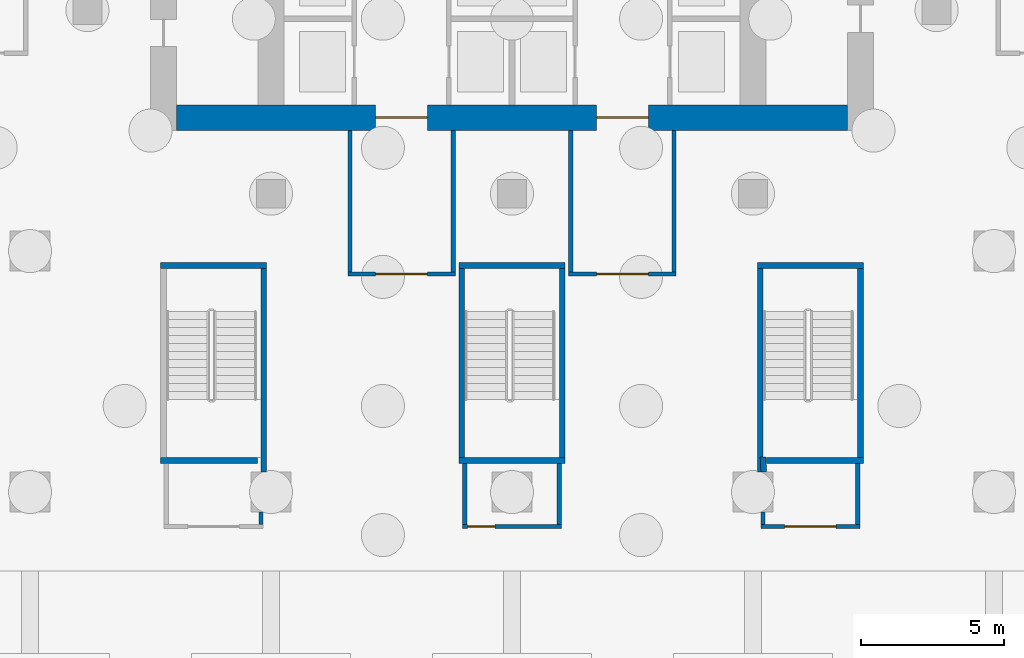
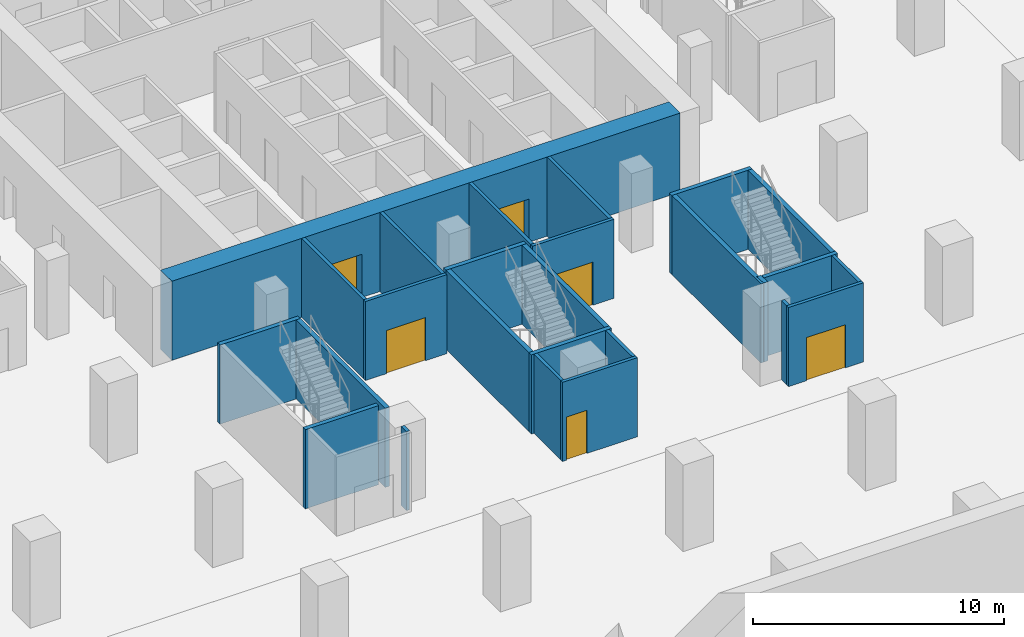
# One storey, part 9 of 22: 26 walls, 6 doors, 6 openings.
"""IFC4 building model written with IfcOpenShell, lengths in metres."""

from ifc_helpers import new_model, si_unit, direction, frame, frame_2d, origin, place, context, subcontext, project, spatial, rectangle, extrude, material, layer, layer_set, type_object, element, fill, save


model = new_model("IFC4")

# Units and contexts
model_context = context("Model", 3, precision=1e-05, world=origin(), true_north=direction((0.0, 1.0)))
body_context = subcontext(model_context, "Body", "Model", "MODEL_VIEW")
ifc_project = project(units=[si_unit("LENGTHUNIT", "METRE"), si_unit("AREAUNIT", "SQUARE_METRE"), si_unit("VOLUMEUNIT", "CUBIC_METRE"), si_unit("PLANEANGLEUNIT", "RADIAN"), si_unit("MASSUNIT", "GRAM", prefix="KILO")], contexts=[model_context])

# Site, building, storey
site_placement = place(None, origin())
site = spatial("IfcSite", under=ifc_project, at=site_placement, CompositionType="ELEMENT")
building_placement = place(site_placement, origin())
building = spatial("IfcBuilding", under=site, at=building_placement, Name="Vermilion Ogive Tower", CompositionType="ELEMENT")
storey_placement = place(building_placement, frame((0.0, 0.0, -8.39990234375)))
storey = spatial("IfcBuildingStorey", under=building, at=storey_placement, Name="B2", CompositionType="ELEMENT", Elevation=-8.39990234375)

# Wall, openings, doors
ifc_material_1 = material(Name="Concrete B80", Category="concrete")
ifc_layer_1 = layer(ifc_material_1, 0.89990234375)
ifc_layer_set_1 = layer_set([ifc_layer_1], Name="Core wall 900 B80")
wall_type_1 = type_object("IfcWallType", Name="Core wall 900 B80", PredefinedType="SHEAR", material=ifc_layer_set_1)
wall_1_placement = place(storey_placement, frame((-11.699951171875, -7.949951171875, 0.0), z_axis=(0.0, 0.0, 1.0), x_axis=(1.0, 0.0, 0.0)))
wall_1 = element("IfcWall", 1, at=wall_1_placement, inside=storey, type_object=wall_type_1, Name="B2-CORE-S", PredefinedType="SHEAR", context=body_context, shape_type="SweptSolid", body=[
    extrude(rectangle(XDim=23.39990234375, YDim=0.89990234375, at=frame_2d((11.699951171875, 0.0))), origin(), (0.0, 0.0, 1.0), 3.849853515625),
])
opening_1_placement = place(wall_1_placement, frame((6.949951171875, 0.0, 0.0)))
opening_1 = element("IfcOpeningElement", 2, at=opening_1_placement, cuts=wall_1, Name="Opening DBH003", PredefinedType="OPENING", context=body_context, shape_type="SweptSolid", body=[
    extrude(rectangle(XDim=1.800048828125, YDim=2.10009765625, at=frame_2d((0.89990234375, 1.050048828125))), frame((0.0, 0.4599609375, 0.0), z_axis=(0.0, -1.0, 0.0), x_axis=(1.0, 0.0, 0.0)), (0.0, 0.0, 1.0), 0.919921875),
])
opening_2_placement = place(wall_1_placement, frame((14.64990234375, 0.0, 0.0)))
opening_2 = element("IfcOpeningElement", 3, at=opening_2_placement, cuts=wall_1, Name="Opening DBH004", PredefinedType="OPENING", context=body_context, shape_type="SweptSolid", body=[
    extrude(rectangle(XDim=1.800048828125, YDim=2.10009765625, at=frame_2d((0.89990234375, 1.050048828125))), frame((0.0, 0.4599609375, 0.0), z_axis=(0.0, -1.0, 0.0), x_axis=(1.0, 0.0, 0.0)), (0.0, 0.0, 1.0), 0.919921875),
])
ifc_material_2 = material(Name="Timber door leaf", Category="wood")
door_type_1 = type_object("IfcDoorType", Name="Core entry door 1800 x 2100 FD60S", OperationType="DOUBLE_DOOR_SINGLE_SWING", PredefinedType="DOOR", material=ifc_material_2)
door_1_placement = place(opening_1_placement, origin())
door_1 = element("IfcDoor", 4, at=door_1_placement, inside=storey, type_object=door_type_1, Name="B2-CK-XD1", OperationType="SINGLE_SWING_LEFT", OverallHeight=2.10009765625, OverallWidth=1.800048828125, PredefinedType="DOOR", context=body_context, shape_type="SweptSolid", body=[
    extrude(rectangle(XDim=1.800048828125, YDim=2.10009765625, at=frame_2d((0.89990234375, 1.050048828125))), frame((0.0, 0.02490234375, 0.0), z_axis=(0.0, -1.0, 0.0), x_axis=(1.0, 0.0, 0.0)), (0.0, 0.0, 1.0), 0.050048828125),
])
fill(opening_1, door_1)
door_2_placement = place(opening_2_placement, origin())
door_2 = element("IfcDoor", 5, at=door_2_placement, inside=storey, type_object=door_type_1, Name="B2-CK-XD2", OperationType="SINGLE_SWING_LEFT", OverallHeight=2.10009765625, OverallWidth=1.800048828125, PredefinedType="DOOR", context=body_context, shape_type="SweptSolid", body=[
    extrude(rectangle(XDim=1.800048828125, YDim=2.10009765625, at=frame_2d((0.89990234375, 1.050048828125))), frame((0.0, 0.02490234375, 0.0), z_axis=(0.0, -1.0, 0.0), x_axis=(1.0, 0.0, 0.0)), (0.0, 0.0, 1.0), 0.050048828125),
])
fill(opening_2, door_2)

# Wall, opening, door
ifc_material_3 = material(Name="Gypsum board partition on steel studs", Category="steel")
ifc_layer_2 = layer(ifc_material_3, 0.14990234375)
ifc_layer_set_2 = layer_set([ifc_layer_2], Name="Partition 150 corridor")
wall_type_2 = type_object("IfcWallType", Name="Partition 150 corridor", PredefinedType="PARTITIONING", material=ifc_layer_set_2)
wall_2_placement = place(storey_placement, frame((-1.72509765625, -22.199951171875, 0.0), z_axis=(0.0, 0.0, 1.0), x_axis=(1.0, 0.0, 0.0)))
wall_2 = element("IfcWall", 6, at=wall_2_placement, inside=storey, type_object=wall_type_2, Name="B2-PK-W-W007", PredefinedType="PARTITIONING", context=body_context, shape_type="SweptSolid", body=[
    extrude(rectangle(XDim=3.4501953125, YDim=0.14990234375, at=frame_2d((1.72509765625, 0.0))), origin(), (0.0, 0.0, 1.0), 3.849853515625),
])
opening_3_placement = place(wall_2_placement, frame((0.17529296875, 0.0, 0.0)))
opening_3 = element("IfcOpeningElement", 7, at=opening_3_placement, cuts=wall_2, Name="Opening PK2-04", PredefinedType="OPENING", context=body_context, shape_type="SweptSolid", body=[
    extrude(rectangle(XDim=0.949951171875, YDim=2.10009765625, at=frame_2d((0.47509765625, 1.050048828125))), frame((0.0, 0.0849609375, 0.0), z_axis=(0.0, -1.0, 0.0), x_axis=(1.0, 0.0, 0.0)), (0.0, 0.0, 1.0), 0.169921875),
])
ifc_material_4 = material(Name="Timber door leaf", Category="wood")
door_type_2 = type_object("IfcDoorType", Name="Service door 950 x 2100 FD60", OperationType="SINGLE_SWING_LEFT", PredefinedType="DOOR", material=ifc_material_4)
door_3_placement = place(opening_3_placement, origin())
door_3 = element("IfcDoor", 8, at=door_3_placement, inside=storey, type_object=door_type_2, Name="B2-PK-D-D004", OperationType="SINGLE_SWING_LEFT", OverallHeight=2.10009765625, OverallWidth=0.949951171875, PredefinedType="DOOR", context=body_context, shape_type="SweptSolid", body=[
    extrude(rectangle(XDim=0.949951171875, YDim=2.10009765625, at=frame_2d((0.47509765625, 1.050048828125))), frame((0.0, 0.02490234375, 0.0), z_axis=(0.0, -1.0, 0.0), x_axis=(1.0, 0.0, 0.0)), (0.0, 0.0, 1.0), 0.050048828125),
])
fill(opening_3, door_3)

wall_3_placement = place(storey_placement, frame((8.675048828125, -22.199951171875, 0.0), z_axis=(0.0, 0.0, 1.0), x_axis=(1.0, 0.0, 0.0)))
wall_3 = element("IfcWall", 9, at=wall_3_placement, inside=storey, type_object=wall_type_2, Name="B2-PK-W-W008", PredefinedType="PARTITIONING", context=body_context, shape_type="SweptSolid", body=[
    extrude(rectangle(XDim=3.449951171875, YDim=0.14990234375, at=frame_2d((1.72509765625, 0.0))), origin(), (0.0, 0.0, 1.0), 3.849853515625),
])
opening_4_placement = place(wall_3_placement, frame((0.824951171875, 0.0, 0.0)))
opening_4 = element("IfcOpeningElement", 10, at=opening_4_placement, cuts=wall_3, Name="Opening PK2-05", PredefinedType="OPENING", context=body_context, shape_type="SweptSolid", body=[
    extrude(rectangle(XDim=1.800048828125, YDim=2.10009765625, at=frame_2d((0.89990234375, 1.050048828125))), frame((0.0, 0.0849609375, 0.0), z_axis=(0.0, -1.0, 0.0), x_axis=(1.0, 0.0, 0.0)), (0.0, 0.0, 1.0), 0.169921875),
])
ifc_material_5 = material(Name="Timber door leaf", Category="wood")
door_type_3 = type_object("IfcDoorType", Name="Lobby door 1800 x 2100 FD60S", OperationType="DOUBLE_DOOR_SINGLE_SWING", PredefinedType="DOOR", material=ifc_material_5)
door_4_placement = place(opening_4_placement, origin())
door_4 = element("IfcDoor", 11, at=door_4_placement, inside=storey, type_object=door_type_3, Name="B2-PK-D-D005", OperationType="DOUBLE_DOOR_SINGLE_SWING", OverallHeight=2.10009765625, OverallWidth=1.800048828125, PredefinedType="DOOR", context=body_context, shape_type="SweptSolid", body=[
    extrude(rectangle(XDim=1.800048828125, YDim=2.10009765625, at=frame_2d((0.89990234375, 1.050048828125))), frame((0.0, 0.02490234375, 0.0), z_axis=(0.0, -1.0, 0.0), x_axis=(1.0, 0.0, 0.0)), (0.0, 0.0, 1.0), 0.050048828125),
])
fill(opening_4, door_4)

wall_4_placement = place(storey_placement, frame((-5.72509765625, -13.39990234375, 0.0), z_axis=(0.0, 0.0, 1.0), x_axis=(1.0, 0.0, 0.0)))
wall_4 = element("IfcWall", 12, at=wall_4_placement, inside=storey, type_object=wall_type_2, Name="B2-PK-W-W013", PredefinedType="PARTITIONING", context=body_context, shape_type="SweptSolid", body=[
    extrude(rectangle(XDim=3.75, YDim=0.14990234375, at=frame_2d((1.875, 0.0))), origin(), (0.0, 0.0, 1.0), 3.849853515625),
])
opening_5_placement = place(wall_4_placement, frame((0.97509765625, 0.0, 0.0)))
opening_5 = element("IfcOpeningElement", 13, at=opening_5_placement, cuts=wall_4, Name="Opening PK2-01", PredefinedType="OPENING", context=body_context, shape_type="SweptSolid", body=[
    extrude(rectangle(XDim=1.800048828125, YDim=2.10009765625, at=frame_2d((0.89990234375, 1.050048828125))), frame((0.0, 0.0849609375, 0.0), z_axis=(0.0, -1.0, 0.0), x_axis=(1.0, 0.0, 0.0)), (0.0, 0.0, 1.0), 0.169921875),
])
door_5_placement = place(opening_5_placement, origin())
door_5 = element("IfcDoor", 14, at=door_5_placement, inside=storey, type_object=door_type_3, Name="B2-PK-D-D001", OperationType="DOUBLE_DOOR_SINGLE_SWING", OverallHeight=2.10009765625, OverallWidth=1.800048828125, PredefinedType="DOOR", context=body_context, shape_type="SweptSolid", body=[
    extrude(rectangle(XDim=1.800048828125, YDim=2.10009765625, at=frame_2d((0.89990234375, 1.050048828125))), frame((0.0, 0.02490234375, 0.0), z_axis=(0.0, -1.0, 0.0), x_axis=(1.0, 0.0, 0.0)), (0.0, 0.0, 1.0), 0.050048828125),
])
fill(opening_5, door_5)

wall_5_placement = place(storey_placement, frame((1.97509765625, -13.39990234375, 0.0), z_axis=(0.0, 0.0, 1.0), x_axis=(1.0, 0.0, 0.0)))
wall_5 = element("IfcWall", 15, at=wall_5_placement, inside=storey, type_object=wall_type_2, Name="B2-PK-W-W014", PredefinedType="PARTITIONING", context=body_context, shape_type="SweptSolid", body=[
    extrude(rectangle(XDim=3.75, YDim=0.14990234375, at=frame_2d((1.875, 0.0))), origin(), (0.0, 0.0, 1.0), 3.849853515625),
])
opening_6_placement = place(wall_5_placement, frame((0.974853515625, 0.0, 0.0)))
opening_6 = element("IfcOpeningElement", 16, at=opening_6_placement, cuts=wall_5, Name="Opening PK2-02", PredefinedType="OPENING", context=body_context, shape_type="SweptSolid", body=[
    extrude(rectangle(XDim=1.800048828125, YDim=2.10009765625, at=frame_2d((0.89990234375, 1.050048828125))), frame((0.0, 0.0849609375, 0.0), z_axis=(0.0, -1.0, 0.0), x_axis=(1.0, 0.0, 0.0)), (0.0, 0.0, 1.0), 0.169921875),
])
door_6_placement = place(opening_6_placement, origin())
door_6 = element("IfcDoor", 17, at=door_6_placement, inside=storey, type_object=door_type_3, Name="B2-PK-D-D002", OperationType="DOUBLE_DOOR_SINGLE_SWING", OverallHeight=2.10009765625, OverallWidth=1.800048828125, PredefinedType="DOOR", context=body_context, shape_type="SweptSolid", body=[
    extrude(rectangle(XDim=1.800048828125, YDim=2.10009765625, at=frame_2d((0.89990234375, 1.050048828125))), frame((0.0, 0.02490234375, 0.0), z_axis=(0.0, -1.0, 0.0), x_axis=(1.0, 0.0, 0.0)), (0.0, 0.0, 1.0), 0.050048828125),
])
fill(opening_6, door_6)

# Walls
wall_6_placement = place(storey_placement, frame((-8.75, -22.125, 0.0), z_axis=(0.0, 0.0, 1.0), x_axis=(0.0, 1.0, 0.0)))
element("IfcWall", 18, at=wall_6_placement, inside=storey, type_object=wall_type_2, Name="B2-PK-W-W040a", PredefinedType="PARTITIONING", context=body_context, shape_type="SweptSolid", body=[
    extrude(rectangle(XDim=0.425048828125, YDim=0.14990234375, at=frame_2d((0.21240234375, 0.0))), origin(), (0.0, 0.0, 1.0), 3.849853515625),
])
for number, where, z_axis, x_axis, name in (
    (19, (-5.64990234375, -13.324951171875, 0.0), (0.0, 0.0, 1.0), (0.0, 1.0, 0.0), "B2-PK-W-W041"),
    (20, (-2.050048828125, -13.324951171875, 0.0), (0.0, 0.0, 1.0), (0.0, 1.0, 0.0), "B2-PK-W-W042"),
):
    element("IfcWall", number, at=place(storey_placement, frame(where, z_axis=z_axis, x_axis=x_axis)), inside=storey, type_object=wall_type_2, Name=name, PredefinedType="PARTITIONING", context=body_context, shape_type="SweptSolid", body=[
        extrude(rectangle(XDim=4.924072265625, YDim=0.14990234375, at=frame_2d((2.4619140625, 0.0))), origin(), (0.0, 0.0, 1.0), 3.849853515625),
    ])
for number, where, z_axis, x_axis, name in (
    (21, (-1.64990234375, -22.125, 0.0), (0.0, 0.0, 1.0), (0.0, 1.0, 0.0), "B2-PK-W-W043"),
    (22, (1.64990234375, -22.125, 0.0), (0.0, 0.0, 1.0), (0.0, 1.0, 0.0), "B2-PK-W-W044"),
):
    element("IfcWall", number, at=place(storey_placement, frame(where, z_axis=z_axis, x_axis=x_axis)), inside=storey, type_object=wall_type_2, Name=name, PredefinedType="PARTITIONING", context=body_context, shape_type="SweptSolid", body=[
        extrude(rectangle(XDim=2.125, YDim=0.14990234375, at=frame_2d((1.0625, 0.0))), origin(), (0.0, 0.0, 1.0), 3.849853515625),
    ])
for number, where, z_axis, x_axis, name in (
    (23, (2.050048828125, -13.324951171875, 0.0), (0.0, 0.0, 1.0), (0.0, 1.0, 0.0), "B2-PK-W-W045"),
    (24, (5.64990234375, -13.324951171875, 0.0), (0.0, 0.0, 1.0), (0.0, 1.0, 0.0), "B2-PK-W-W046"),
):
    element("IfcWall", number, at=place(storey_placement, frame(where, z_axis=z_axis, x_axis=x_axis)), inside=storey, type_object=wall_type_2, Name=name, PredefinedType="PARTITIONING", context=body_context, shape_type="SweptSolid", body=[
        extrude(rectangle(XDim=4.924072265625, YDim=0.14990234375, at=frame_2d((2.4619140625, 0.0))), origin(), (0.0, 0.0, 1.0), 3.849853515625),
    ])
wall_7_placement = place(storey_placement, frame((8.75, -22.125, 0.0), z_axis=(0.0, 0.0, 1.0), x_axis=(0.0, 1.0, 0.0)))
element("IfcWall", 25, at=wall_7_placement, inside=storey, type_object=wall_type_2, Name="B2-PK-W-W047a", PredefinedType="PARTITIONING", context=body_context, shape_type="SweptSolid", body=[
    extrude(rectangle(XDim=0.425048828125, YDim=0.14990234375, at=frame_2d((0.21240234375, 0.0))), origin(), (0.0, 0.0, 1.0), 3.849853515625),
])
wall_8_placement = place(storey_placement, frame((12.050048828125, -22.125, 0.0), z_axis=(0.0, 0.0, 1.0), x_axis=(0.0, 1.0, 0.0)))
element("IfcWall", 26, at=wall_8_placement, inside=storey, type_object=wall_type_2, Name="B2-PK-W-W048", PredefinedType="PARTITIONING", context=body_context, shape_type="SweptSolid", body=[
    extrude(rectangle(XDim=2.125, YDim=0.14990234375, at=frame_2d((1.0625, 0.0))), origin(), (0.0, 0.0, 1.0), 3.849853515625),
])
ifc_material_6 = material(Name="Concrete B60", Category="concrete")
ifc_layer_3 = layer(ifc_material_6, 0.199951171875)
ifc_layer_set_3 = layer_set([ifc_layer_3], Name="Stair shaft wall 200 Concrete B60")
wall_type_3 = type_object("IfcWallType", Name="Stair shaft wall 200 Concrete B60", PredefinedType="SOLIDWALL", material=ifc_layer_set_3)
wall_9_placement = place(storey_placement, frame((8.77490234375, -20.300048828125, 0.0), z_axis=(0.0, 0.0, 1.0), x_axis=(-0.047388561008, 0.998876531052, 0.0)))
element("IfcWall", 27, at=wall_9_placement, inside=storey, type_object=wall_type_3, Name="B2-PK-W-W047b", PredefinedType="SOLIDWALL", context=body_context, shape_type="SweptSolid", body=[
    extrude(rectangle(XDim=0.525390625, YDim=0.199951171875, at=frame_2d((0.2626953125, 0.0))), origin(), (0.0, 0.0, 1.0), 3.849853515625),
])
wall_10_placement = place(storey_placement, frame((-12.25, -19.89990234375, 0.0), z_axis=(0.0, 0.0, 1.0), x_axis=(1.0, 0.0, 0.0)))
element("IfcWall", 28, at=wall_10_placement, inside=storey, type_object=wall_type_3, Name="B2-SW-ST3-S1", PredefinedType="SOLIDWALL", context=body_context, shape_type="SweptSolid", body=[
    extrude(rectangle(XDim=3.375, YDim=0.199951171875, at=frame_2d((1.6875, 0.0))), origin(), (0.0, 0.0, 1.0), 3.849853515625),
])
wall_11_placement = place(storey_placement, frame((-12.25, -13.10009765625, 0.0), z_axis=(0.0, 0.0, 1.0), x_axis=(1.0, 0.0, 0.0)))
element("IfcWall", 29, at=wall_11_placement, inside=storey, type_object=wall_type_3, Name="B2-SW-ST3-N1", PredefinedType="SOLIDWALL", context=body_context, shape_type="SweptSolid", body=[
    extrude(rectangle(XDim=3.699951171875, YDim=0.199951171875, at=frame_2d((1.85009765625, 0.0))), origin(), (0.0, 0.0, 1.0), 3.849853515625),
])
wall_12_placement = place(storey_placement, frame((-8.64990234375, -20.300048828125, 0.0), z_axis=(0.0, 0.0, 1.0), x_axis=(0.0, 1.0, 0.0)))
element("IfcWall", 30, at=wall_12_placement, inside=storey, type_object=wall_type_3, Name="B2-SW-ST3-E1", PredefinedType="SOLIDWALL", context=body_context, shape_type="SweptSolid", body=[
    extrude(rectangle(XDim=7.10009765625, YDim=0.199951171875, at=frame_2d((3.550048828125, 0.0))), origin(), (0.0, 0.0, 1.0), 3.849853515625),
])
for number, where, z_axis, x_axis, name in (
    (31, (-1.85009765625, -19.89990234375, 0.0), (0.0, 0.0, 1.0), (1.0, 0.0, 0.0), "B2-SW-ST4-S1"),
    (32, (-1.85009765625, -13.10009765625, 0.0), (0.0, 0.0, 1.0), (1.0, 0.0, 0.0), "B2-SW-ST4-N1"),
):
    element("IfcWall", number, at=place(storey_placement, frame(where, z_axis=z_axis, x_axis=x_axis)), inside=storey, type_object=wall_type_3, Name=name, PredefinedType="SOLIDWALL", context=body_context, shape_type="SweptSolid", body=[
        extrude(rectangle(XDim=3.7001953125, YDim=0.199951171875, at=frame_2d((1.85009765625, 0.0))), origin(), (0.0, 0.0, 1.0), 3.849853515625),
    ])
for number, where, z_axis, x_axis, name in (
    (33, (-1.75, -19.800048828125, 0.0), (0.0, 0.0, 1.0), (0.0, 1.0, 0.0), "B2-SW-ST4-W1"),
    (34, (1.75, -19.800048828125, 0.0), (0.0, 0.0, 1.0), (0.0, 1.0, 0.0), "B2-SW-ST4-E1"),
):
    element("IfcWall", number, at=place(storey_placement, frame(where, z_axis=z_axis, x_axis=x_axis)), inside=storey, type_object=wall_type_3, Name=name, PredefinedType="SOLIDWALL", context=body_context, shape_type="SweptSolid", body=[
        extrude(rectangle(XDim=6.60009765625, YDim=0.199951171875, at=frame_2d((3.300048828125, 0.0))), origin(), (0.0, 0.0, 1.0), 3.849853515625),
    ])
wall_13_placement = place(storey_placement, frame((8.875, -19.89990234375, 0.0), z_axis=(0.0, 0.0, 1.0), x_axis=(1.0, 0.0, 0.0)))
element("IfcWall", 35, at=wall_13_placement, inside=storey, type_object=wall_type_3, Name="B2-SW-ST5-S1", PredefinedType="SOLIDWALL", context=body_context, shape_type="SweptSolid", body=[
    extrude(rectangle(XDim=3.375, YDim=0.199951171875, at=frame_2d((1.6875, 0.0))), origin(), (0.0, 0.0, 1.0), 3.849853515625),
])
wall_14_placement = place(storey_placement, frame((8.550048828125, -13.10009765625, 0.0), z_axis=(0.0, 0.0, 1.0), x_axis=(1.0, 0.0, 0.0)))
element("IfcWall", 36, at=wall_14_placement, inside=storey, type_object=wall_type_3, Name="B2-SW-ST5-N1", PredefinedType="SOLIDWALL", context=body_context, shape_type="SweptSolid", body=[
    extrude(rectangle(XDim=3.699951171875, YDim=0.199951171875, at=frame_2d((1.85009765625, 0.0))), origin(), (0.0, 0.0, 1.0), 3.849853515625),
])
wall_15_placement = place(storey_placement, frame((8.64990234375, -20.300048828125, 0.0), z_axis=(0.0, 0.0, 1.0), x_axis=(0.0, 1.0, 0.0)))
element("IfcWall", 37, at=wall_15_placement, inside=storey, type_object=wall_type_3, Name="B2-SW-ST5-W1", PredefinedType="SOLIDWALL", context=body_context, shape_type="SweptSolid", body=[
    extrude(rectangle(XDim=7.10009765625, YDim=0.199951171875, at=frame_2d((3.550048828125, 0.0))), origin(), (0.0, 0.0, 1.0), 3.849853515625),
])
wall_16_placement = place(storey_placement, frame((12.14990234375, -19.800048828125, 0.0), z_axis=(0.0, 0.0, 1.0), x_axis=(0.0, 1.0, 0.0)))
element("IfcWall", 38, at=wall_16_placement, inside=storey, type_object=wall_type_3, Name="B2-SW-ST5-E1", PredefinedType="SOLIDWALL", context=body_context, shape_type="SweptSolid", body=[
    extrude(rectangle(XDim=6.60009765625, YDim=0.199951171875, at=frame_2d((3.300048828125, 0.0))), origin(), (0.0, 0.0, 1.0), 3.849853515625),
])

save(model, "model.ifc")
